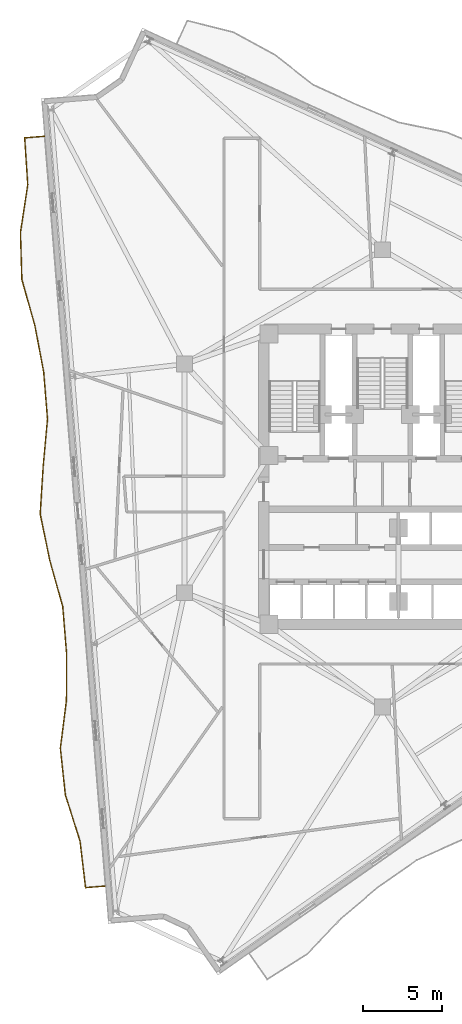
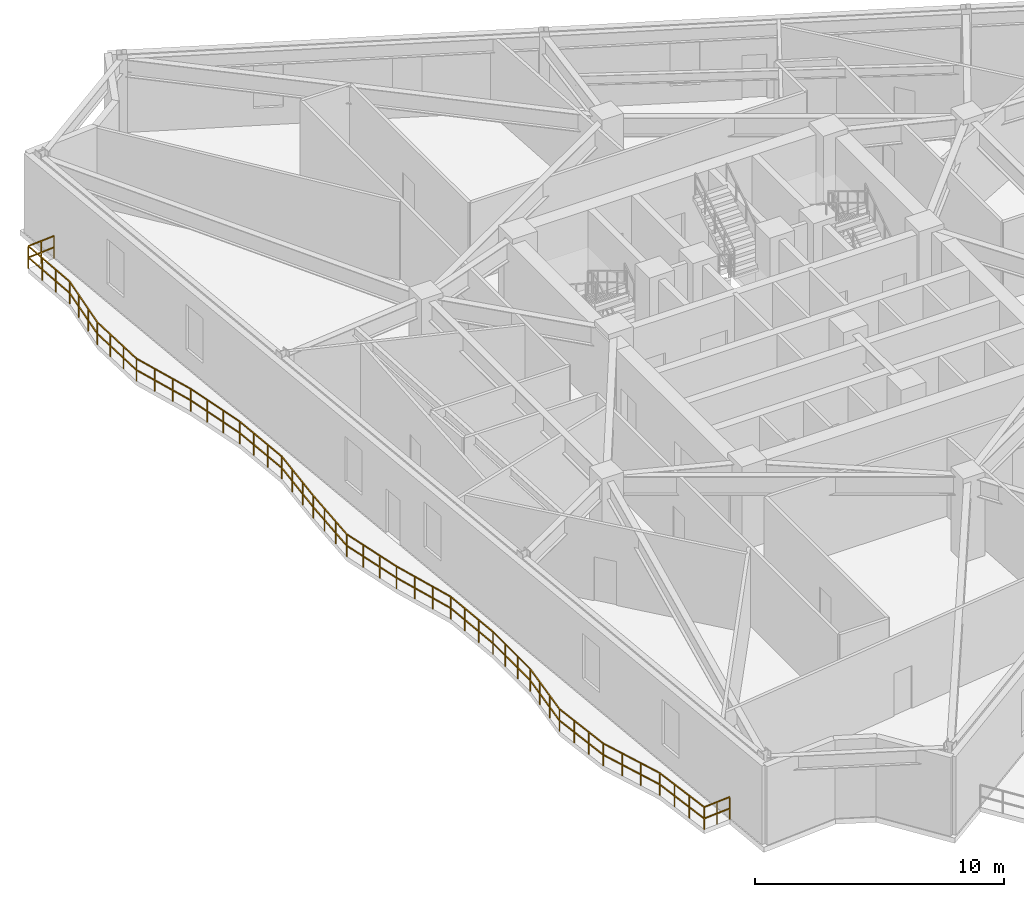
# One storey, part 9 of 12: 1 railing.
"""IFC4 building model written with IfcOpenShell, lengths in metres."""

from ifc_helpers import new_model, si_unit, direction, frame, origin, origin_2d, place, context, subcontext, project, spatial, rectangle, extrude, material, type_object, element, save


model = new_model("IFC4")

# Units and contexts
model_context = context("Model", 3, precision=1e-05, world=origin(), true_north=direction((0.0, 1.0)))
body_context = subcontext(model_context, "Body", "Model", "MODEL_VIEW")
ifc_project = project(units=[si_unit("LENGTHUNIT", "METRE"), si_unit("AREAUNIT", "SQUARE_METRE"), si_unit("VOLUMEUNIT", "CUBIC_METRE"), si_unit("PLANEANGLEUNIT", "RADIAN"), si_unit("MASSUNIT", "GRAM", prefix="KILO")], contexts=[model_context])

# Site, building, storey
site_placement = place(None, origin())
site = spatial("IfcSite", under=ifc_project, at=site_placement, CompositionType="ELEMENT")
building_placement = place(site_placement, origin())
building = spatial("IfcBuilding", under=site, at=building_placement, Name="Apsidion Concourse Tower", CompositionType="ELEMENT")
storey_placement = place(building_placement, frame((0.0, 0.0, 198.300048828125)))
storey = spatial("IfcBuildingStorey", under=building, at=storey_placement, Name="L46", CompositionType="ELEMENT", Elevation=198.300048828125)

# Railing
ifc_material = material(Name="Brushed stainless steel 316", Category="steel")
railing_type = type_object("IfcRailingType", Name="RL-BAL-1120", PredefinedType="BALUSTRADE", material=ifc_material)
railing_placement = place(storey_placement, frame((-17.59326171875, -25.86328125, 0.0)))
element("IfcRailing", 1, at=railing_placement, inside=storey, type_object=railing_type, Name="L46 Face 1 Rippling Balcony Balustrade", PredefinedType="BALUSTRADE", context=body_context, shape_type="SweptSolid", body=[
    extrude(rectangle(XDim=0.048095703125, YDim=0.048095703125, at=origin_2d()), frame((0.0, 0.0, 1.09619140625), z_axis=(-0.996725219945, -0.08086306899, 0.0), x_axis=(0.08086306899, -0.996725219945, 0.0)), (0.0, 0.0, 1.0), 1.25),
    extrude(rectangle(XDim=0.048095703125, YDim=0.048095703125, at=origin_2d()), frame((0.0, 0.0, 0.5361328125), z_axis=(-0.996725219945, -0.08086306899, 0.0), x_axis=(0.08086306899, -0.996725219945, 0.0)), (0.0, 0.0, 1.0), 1.25),
    extrude(rectangle(XDim=0.048095703125, YDim=0.048095703125, at=origin_2d()), frame((-1.245849609375, -0.10107421875, 1.09619140625), z_axis=(-0.118506652774, 0.99295325834, 0.0), x_axis=(-0.99295325834, -0.118506652774, 0.0)), (0.0, 0.0, 1.0), 2.985107421875),
    extrude(rectangle(XDim=0.048095703125, YDim=0.048095703125, at=origin_2d()), frame((-1.245849609375, -0.10107421875, 0.5361328125), z_axis=(-0.118506652774, 0.99295325834, 0.0), x_axis=(-0.99295325834, -0.118506652774, 0.0)), (0.0, 0.0, 1.0), 2.985107421875),
    extrude(rectangle(XDim=0.048095703125, YDim=0.048095703125, at=origin_2d()), frame((-1.599609375, 2.863037109375, 1.09619140625), z_axis=(-0.302821776627, 0.953047203238, 0.0), x_axis=(-0.953047203238, -0.302821776627, 0.0)), (0.0, 0.0, 1.0), 3.061279296875),
    extrude(rectangle(XDim=0.048095703125, YDim=0.048095703125, at=origin_2d()), frame((-1.599609375, 2.863037109375, 0.5361328125), z_axis=(-0.302821776627, 0.953047203238, 0.0), x_axis=(-0.953047203238, -0.302821776627, 0.0)), (0.0, 0.0, 1.0), 3.061279296875),
    extrude(rectangle(XDim=0.048095703125, YDim=0.048095703125, at=origin_2d()), frame((-2.526611328125, 5.780517578125, 1.09619140625), z_axis=(-0.106362677658, 0.994327401212, 0.0), x_axis=(-0.994327401212, -0.106362677658, 0.0)), (0.0, 0.0, 1.0), 2.98388671875),
    extrude(rectangle(XDim=0.048095703125, YDim=0.048095703125, at=origin_2d()), frame((-2.526611328125, 5.780517578125, 0.5361328125), z_axis=(-0.106362677658, 0.994327401212, 0.0), x_axis=(-0.994327401212, -0.106362677658, 0.0)), (0.0, 0.0, 1.0), 2.98388671875),
    extrude(rectangle(XDim=0.048095703125, YDim=0.048095703125, at=origin_2d()), frame((-2.843994140625, 8.74755859375, 1.09619140625), z_axis=(0.126380378382, 0.991981854653, 0.0), x_axis=(-0.991981854653, 0.126380378382, 0.0)), (0.0, 0.0, 1.0), 3.04833984375),
    extrude(rectangle(XDim=0.048095703125, YDim=0.048095703125, at=origin_2d()), frame((-2.843994140625, 8.74755859375, 0.5361328125), z_axis=(0.126380378382, 0.991981854653, 0.0), x_axis=(-0.991981854653, 0.126380378382, 0.0)), (0.0, 0.0, 1.0), 3.04833984375),
    extrude(rectangle(XDim=0.048095703125, YDim=0.048095703125, at=origin_2d()), frame((-2.458740234375, 11.771484375, 1.09619140625), z_axis=(0.001957422235, 0.999998084247, 0.0), x_axis=(-0.999998084247, 0.001957422235, 0.0)), (0.0, 0.0, 1.0), 2.993408203125),
    extrude(rectangle(XDim=0.048095703125, YDim=0.048095703125, at=origin_2d()), frame((-2.458740234375, 11.771484375, 0.5361328125), z_axis=(0.001957422235, 0.999998084247, 0.0), x_axis=(-0.999998084247, 0.001957422235, 0.0)), (0.0, 0.0, 1.0), 2.993408203125),
    extrude(rectangle(XDim=0.048095703125, YDim=0.048095703125, at=origin_2d()), frame((-2.452880859375, 14.764892578125, 1.09619140625), z_axis=(-0.080945526608, 0.996718526828, 0.0), x_axis=(-0.996718526828, -0.080945526608, 0.0)), (0.0, 0.0, 1.0), 2.98291015625),
    extrude(rectangle(XDim=0.048095703125, YDim=0.048095703125, at=origin_2d()), frame((-2.452880859375, 14.764892578125, 0.5361328125), z_axis=(-0.080945526608, 0.996718526828, 0.0), x_axis=(-0.996718526828, -0.080945526608, 0.0)), (0.0, 0.0, 1.0), 2.98291015625),
    extrude(rectangle(XDim=0.048095703125, YDim=0.048095703125, at=origin_2d()), frame((-2.6943359375, 17.738037109375, 1.09619140625), z_axis=(-0.27105955005, 0.962562579954, 0.0), x_axis=(-0.962562579954, -0.27105955005, 0.0)), (0.0, 0.0, 1.0), 3.039794921875),
    extrude(rectangle(XDim=0.048095703125, YDim=0.048095703125, at=origin_2d()), frame((-2.6943359375, 17.738037109375, 0.5361328125), z_axis=(-0.27105955005, 0.962562579954, 0.0), x_axis=(-0.962562579954, -0.27105955005, 0.0)), (0.0, 0.0, 1.0), 3.039794921875),
    extrude(rectangle(XDim=0.048095703125, YDim=0.048095703125, at=origin_2d()), frame((-3.518310546875, 20.6640625, 1.09619140625), z_axis=(-0.201237992089, 0.979542378124, 0.0), x_axis=(-0.979542378124, -0.201237992089, 0.0)), (0.0, 0.0, 1.0), 3.005126953125),
    extrude(rectangle(XDim=0.048095703125, YDim=0.048095703125, at=origin_2d()), frame((-3.518310546875, 20.6640625, 0.5361328125), z_axis=(-0.201237992089, 0.979542378124, 0.0), x_axis=(-0.979542378124, -0.201237992089, 0.0)), (0.0, 0.0, 1.0), 3.005126953125),
    extrude(rectangle(XDim=0.048095703125, YDim=0.048095703125, at=origin_2d()), frame((-4.123046875, 23.607666015625, 1.09619140625), z_axis=(0.061651976901, 0.998097707514, 0.0), x_axis=(-0.998097707514, 0.061651976901, 0.0)), (0.0, 0.0, 1.0), 3.013427734375),
    extrude(rectangle(XDim=0.048095703125, YDim=0.048095703125, at=origin_2d()), frame((-4.123046875, 23.607666015625, 0.5361328125), z_axis=(0.061651976901, 0.998097707514, 0.0), x_axis=(-0.998097707514, 0.061651976901, 0.0)), (0.0, 0.0, 1.0), 3.013427734375),
    extrude(rectangle(XDim=0.048095703125, YDim=0.048095703125, at=origin_2d()), frame((-3.937255859375, 26.615478515625, 1.09619140625), z_axis=(0.091589765377, 0.995796824095, 0.0), x_axis=(-0.995796824095, 0.091589765377, 0.0)), (0.0, 0.0, 1.0), 3.028076171875),
    extrude(rectangle(XDim=0.048095703125, YDim=0.048095703125, at=origin_2d()), frame((-3.937255859375, 26.615478515625, 0.5361328125), z_axis=(0.091589765377, 0.995796824095, 0.0), x_axis=(-0.995796824095, 0.091589765377, 0.0)), (0.0, 0.0, 1.0), 3.028076171875),
    extrude(rectangle(XDim=0.048095703125, YDim=0.048095703125, at=origin_2d()), frame((-3.659912109375, 29.630859375, 1.09619140625), z_axis=(-0.080945526608, 0.996718526828, 0.0), x_axis=(-0.996718526828, -0.080945526608, 0.0)), (0.0, 0.0, 1.0), 2.98291015625),
    extrude(rectangle(XDim=0.048095703125, YDim=0.048095703125, at=origin_2d()), frame((-3.659912109375, 29.630859375, 0.5361328125), z_axis=(-0.080945526608, 0.996718526828, 0.0), x_axis=(-0.996718526828, -0.080945526608, 0.0)), (0.0, 0.0, 1.0), 2.98291015625),
    extrude(rectangle(XDim=0.048095703125, YDim=0.048095703125, at=origin_2d()), frame((-3.9013671875, 32.60400390625, 1.09619140625), z_axis=(-0.185963869196, 0.982556583283, 0.0), x_axis=(-0.982556583283, -0.185963869196, 0.0)), (0.0, 0.0, 1.0), 2.999755859375),
    extrude(rectangle(XDim=0.048095703125, YDim=0.048095703125, at=origin_2d()), frame((-3.9013671875, 32.60400390625, 0.5361328125), z_axis=(-0.185963869196, 0.982556583283, 0.0), x_axis=(-0.982556583283, -0.185963869196, 0.0)), (0.0, 0.0, 1.0), 2.999755859375),
    extrude(rectangle(XDim=0.048095703125, YDim=0.048095703125, at=origin_2d()), frame((-4.459228515625, 35.551513671875, 1.09619140625), z_axis=(-0.272121879607, 0.962262792921, 0.0), x_axis=(-0.962262792921, -0.272121879607, 0.0)), (0.0, 0.0, 1.0), 3.04052734375),
    extrude(rectangle(XDim=0.048095703125, YDim=0.048095703125, at=origin_2d()), frame((-4.459228515625, 35.551513671875, 0.5361328125), z_axis=(-0.272121879607, 0.962262792921, 0.0), x_axis=(-0.962262792921, -0.272121879607, 0.0)), (0.0, 0.0, 1.0), 3.04052734375),
    extrude(rectangle(XDim=0.048095703125, YDim=0.048095703125, at=origin_2d()), frame((-5.28662109375, 38.477294921875, 1.09619140625), z_axis=(-0.030081245024, 0.999547456951, 0.0), x_axis=(-0.999547456951, -0.030081245024, 0.0)), (0.0, 0.0, 1.0), 2.98681640625),
    extrude(rectangle(XDim=0.048095703125, YDim=0.048095703125, at=origin_2d()), frame((-5.28662109375, 38.477294921875, 0.5361328125), z_axis=(-0.030081245024, 0.999547456951, 0.0), x_axis=(-0.999547456951, -0.030081245024, 0.0)), (0.0, 0.0, 1.0), 2.98681640625),
    extrude(rectangle(XDim=0.048095703125, YDim=0.048095703125, at=origin_2d()), frame((-5.37646484375, 41.462646484375, 1.09619140625), z_axis=(0.150836243997, 0.988558762794, 0.0), x_axis=(-0.988558762794, 0.150836243997, 0.0)), (0.0, 0.0, 1.0), 3.065673828125),
    extrude(rectangle(XDim=0.048095703125, YDim=0.048095703125, at=origin_2d()), frame((-5.37646484375, 41.462646484375, 0.5361328125), z_axis=(0.150836243997, 0.988558762794, 0.0), x_axis=(-0.988558762794, 0.150836243997, 0.0)), (0.0, 0.0, 1.0), 3.065673828125),
    extrude(rectangle(XDim=0.048095703125, YDim=0.048095703125, at=origin_2d()), frame((-4.9140625, 44.4931640625, 1.09619140625), z_axis=(-0.065144686278, 0.997875828873, 0.0), x_axis=(-0.997875828873, -0.065144686278, 0.0)), (0.0, 0.0, 1.0), 2.983154296875),
    extrude(rectangle(XDim=0.048095703125, YDim=0.048095703125, at=origin_2d()), frame((-4.9140625, 44.4931640625, 0.5361328125), z_axis=(-0.065144686278, 0.997875828873, 0.0), x_axis=(-0.997875828873, -0.065144686278, 0.0)), (0.0, 0.0, 1.0), 2.983154296875),
    extrude(rectangle(XDim=0.048095703125, YDim=0.048095703125, at=origin_2d()), frame((-5.1083984375, 47.469970703125, 1.09619140625), z_axis=(0.996709458739, 0.081057108637, 0.0), x_axis=(-0.081057108637, 0.996709458739, 0.0)), (0.0, 0.0, 1.0), 1.25),
    extrude(rectangle(XDim=0.048095703125, YDim=0.048095703125, at=origin_2d()), frame((-5.1083984375, 47.469970703125, 0.5361328125), z_axis=(0.996709458739, 0.081057108637, 0.0), x_axis=(-0.081057108637, 0.996709458739, 0.0)), (0.0, 0.0, 1.0), 1.25),
    extrude(rectangle(XDim=0.0419921875, YDim=0.0419921875, at=origin_2d()), origin(), (0.0, 0.0, 1.0), 1.072021484375),
    extrude(rectangle(XDim=0.0419921875, YDim=0.0419921875, at=origin_2d()), frame((-0.623046875, -0.050537109375, 0.0)), (0.0, 0.0, 1.0), 1.072021484375),
    extrude(rectangle(XDim=0.0419921875, YDim=0.0419921875, at=origin_2d()), frame((-1.245849609375, -0.10107421875, 0.0)), (0.0, 0.0, 1.0), 1.072021484375),
    extrude(rectangle(XDim=0.0419921875, YDim=0.0419921875, at=origin_2d()), frame((-1.36376953125, 0.886962890625, 0.0)), (0.0, 0.0, 1.0), 1.072021484375),
    extrude(rectangle(XDim=0.0419921875, YDim=0.0419921875, at=origin_2d()), frame((-1.481689453125, 1.875, 0.0)), (0.0, 0.0, 1.0), 1.072021484375),
    extrude(rectangle(XDim=0.0419921875, YDim=0.0419921875, at=origin_2d()), frame((-1.599609375, 2.863037109375, 0.0)), (0.0, 0.0, 1.0), 1.072021484375),
    extrude(rectangle(XDim=0.0419921875, YDim=0.0419921875, at=origin_2d()), frame((-1.90869140625, 3.83544921875, 0.0)), (0.0, 0.0, 1.0), 1.072021484375),
    extrude(rectangle(XDim=0.0419921875, YDim=0.0419921875, at=origin_2d()), frame((-2.217529296875, 4.80810546875, 0.0)), (0.0, 0.0, 1.0), 1.072021484375),
    extrude(rectangle(XDim=0.0419921875, YDim=0.0419921875, at=origin_2d()), frame((-2.526611328125, 5.780517578125, 0.0)), (0.0, 0.0, 1.0), 1.072021484375),
    extrude(rectangle(XDim=0.0419921875, YDim=0.0419921875, at=origin_2d()), frame((-2.63232421875, 6.76953125, 0.0)), (0.0, 0.0, 1.0), 1.072021484375),
    extrude(rectangle(XDim=0.0419921875, YDim=0.0419921875, at=origin_2d()), frame((-2.73828125, 7.758544921875, 0.0)), (0.0, 0.0, 1.0), 1.072021484375),
    extrude(rectangle(XDim=0.0419921875, YDim=0.0419921875, at=origin_2d()), frame((-2.843994140625, 8.74755859375, 0.0)), (0.0, 0.0, 1.0), 1.072021484375),
    extrude(rectangle(XDim=0.0419921875, YDim=0.0419921875, at=origin_2d()), frame((-2.715576171875, 9.755615234375, 0.0)), (0.0, 0.0, 1.0), 1.072021484375),
    extrude(rectangle(XDim=0.0419921875, YDim=0.0419921875, at=origin_2d()), frame((-2.587158203125, 10.763427734375, 0.0)), (0.0, 0.0, 1.0), 1.072021484375),
    extrude(rectangle(XDim=0.0419921875, YDim=0.0419921875, at=origin_2d()), frame((-2.458740234375, 11.771484375, 0.0)), (0.0, 0.0, 1.0), 1.072021484375),
    extrude(rectangle(XDim=0.0419921875, YDim=0.0419921875, at=origin_2d()), frame((-2.456787109375, 12.769287109375, 0.0)), (0.0, 0.0, 1.0), 1.072021484375),
    extrude(rectangle(XDim=0.0419921875, YDim=0.0419921875, at=origin_2d()), frame((-2.454833984375, 13.76708984375, 0.0)), (0.0, 0.0, 1.0), 1.072021484375),
    extrude(rectangle(XDim=0.0419921875, YDim=0.0419921875, at=origin_2d()), frame((-2.452880859375, 14.764892578125, 0.0)), (0.0, 0.0, 1.0), 1.072021484375),
    extrude(rectangle(XDim=0.0419921875, YDim=0.0419921875, at=origin_2d()), frame((-2.533447265625, 15.755859375, 0.0)), (0.0, 0.0, 1.0), 1.072021484375),
    extrude(rectangle(XDim=0.0419921875, YDim=0.0419921875, at=origin_2d()), frame((-2.61376953125, 16.7470703125, 0.0)), (0.0, 0.0, 1.0), 1.072021484375),
    extrude(rectangle(XDim=0.0419921875, YDim=0.0419921875, at=origin_2d()), frame((-2.6943359375, 17.738037109375, 0.0)), (0.0, 0.0, 1.0), 1.072021484375),
    extrude(rectangle(XDim=0.0419921875, YDim=0.0419921875, at=origin_2d()), frame((-2.968994140625, 18.71337890625, 0.0)), (0.0, 0.0, 1.0), 1.072021484375),
    extrude(rectangle(XDim=0.0419921875, YDim=0.0419921875, at=origin_2d()), frame((-3.24365234375, 19.688720703125, 0.0)), (0.0, 0.0, 1.0), 1.072021484375),
    extrude(rectangle(XDim=0.0419921875, YDim=0.0419921875, at=origin_2d()), frame((-3.518310546875, 20.6640625, 0.0)), (0.0, 0.0, 1.0), 1.072021484375),
    extrude(rectangle(XDim=0.0419921875, YDim=0.0419921875, at=origin_2d()), frame((-3.719970703125, 21.645263671875, 0.0)), (0.0, 0.0, 1.0), 1.072021484375),
    extrude(rectangle(XDim=0.0419921875, YDim=0.0419921875, at=origin_2d()), frame((-3.92138671875, 22.62646484375, 0.0)), (0.0, 0.0, 1.0), 1.072021484375),
    extrude(rectangle(XDim=0.0419921875, YDim=0.0419921875, at=origin_2d()), frame((-4.123046875, 23.607666015625, 0.0)), (0.0, 0.0, 1.0), 1.072021484375),
    extrude(rectangle(XDim=0.0419921875, YDim=0.0419921875, at=origin_2d()), frame((-4.06103515625, 24.6103515625, 0.0)), (0.0, 0.0, 1.0), 1.072021484375),
    extrude(rectangle(XDim=0.0419921875, YDim=0.0419921875, at=origin_2d()), frame((-3.999267578125, 25.61279296875, 0.0)), (0.0, 0.0, 1.0), 1.072021484375),
    extrude(rectangle(XDim=0.0419921875, YDim=0.0419921875, at=origin_2d()), frame((-3.937255859375, 26.615478515625, 0.0)), (0.0, 0.0, 1.0), 1.072021484375),
    extrude(rectangle(XDim=0.0419921875, YDim=0.0419921875, at=origin_2d()), frame((-3.8447265625, 27.62060546875, 0.0)), (0.0, 0.0, 1.0), 1.072021484375),
    extrude(rectangle(XDim=0.0419921875, YDim=0.0419921875, at=origin_2d()), frame((-3.75244140625, 28.625732421875, 0.0)), (0.0, 0.0, 1.0), 1.072021484375),
    extrude(rectangle(XDim=0.0419921875, YDim=0.0419921875, at=origin_2d()), frame((-3.659912109375, 29.630859375, 0.0)), (0.0, 0.0, 1.0), 1.072021484375),
    extrude(rectangle(XDim=0.0419921875, YDim=0.0419921875, at=origin_2d()), frame((-3.740478515625, 30.621826171875, 0.0)), (0.0, 0.0, 1.0), 1.072021484375),
    extrude(rectangle(XDim=0.0419921875, YDim=0.0419921875, at=origin_2d()), frame((-3.82080078125, 31.613037109375, 0.0)), (0.0, 0.0, 1.0), 1.072021484375),
    extrude(rectangle(XDim=0.0419921875, YDim=0.0419921875, at=origin_2d()), frame((-3.9013671875, 32.60400390625, 0.0)), (0.0, 0.0, 1.0), 1.072021484375),
    extrude(rectangle(XDim=0.0419921875, YDim=0.0419921875, at=origin_2d()), frame((-4.08740234375, 33.58642578125, 0.0)), (0.0, 0.0, 1.0), 1.072021484375),
    extrude(rectangle(XDim=0.0419921875, YDim=0.0419921875, at=origin_2d()), frame((-4.273193359375, 34.569091796875, 0.0)), (0.0, 0.0, 1.0), 1.072021484375),
    extrude(rectangle(XDim=0.0419921875, YDim=0.0419921875, at=origin_2d()), frame((-4.459228515625, 35.551513671875, 0.0)), (0.0, 0.0, 1.0), 1.072021484375),
    extrude(rectangle(XDim=0.0419921875, YDim=0.0419921875, at=origin_2d()), frame((-4.735107421875, 36.52685546875, 0.0)), (0.0, 0.0, 1.0), 1.072021484375),
    extrude(rectangle(XDim=0.0419921875, YDim=0.0419921875, at=origin_2d()), frame((-5.0107421875, 37.501953125, 0.0)), (0.0, 0.0, 1.0), 1.072021484375),
    extrude(rectangle(XDim=0.0419921875, YDim=0.0419921875, at=origin_2d()), frame((-5.28662109375, 38.477294921875, 0.0)), (0.0, 0.0, 1.0), 1.072021484375),
    extrude(rectangle(XDim=0.0419921875, YDim=0.0419921875, at=origin_2d()), frame((-5.316650390625, 39.472412109375, 0.0)), (0.0, 0.0, 1.0), 1.072021484375),
    extrude(rectangle(XDim=0.0419921875, YDim=0.0419921875, at=origin_2d()), frame((-5.346435546875, 40.467529296875, 0.0)), (0.0, 0.0, 1.0), 1.072021484375),
    extrude(rectangle(XDim=0.0419921875, YDim=0.0419921875, at=origin_2d()), frame((-5.37646484375, 41.462646484375, 0.0)), (0.0, 0.0, 1.0), 1.072021484375),
    extrude(rectangle(XDim=0.0419921875, YDim=0.0419921875, at=origin_2d()), frame((-5.222412109375, 42.472900390625, 0.0)), (0.0, 0.0, 1.0), 1.072021484375),
    extrude(rectangle(XDim=0.0419921875, YDim=0.0419921875, at=origin_2d()), frame((-5.068115234375, 43.48291015625, 0.0)), (0.0, 0.0, 1.0), 1.072021484375),
    extrude(rectangle(XDim=0.0419921875, YDim=0.0419921875, at=origin_2d()), frame((-4.9140625, 44.4931640625, 0.0)), (0.0, 0.0, 1.0), 1.072021484375),
    extrude(rectangle(XDim=0.0419921875, YDim=0.0419921875, at=origin_2d()), frame((-4.978759765625, 45.4853515625, 0.0)), (0.0, 0.0, 1.0), 1.072021484375),
    extrude(rectangle(XDim=0.0419921875, YDim=0.0419921875, at=origin_2d()), frame((-5.043701171875, 46.477783203125, 0.0)), (0.0, 0.0, 1.0), 1.072021484375),
    extrude(rectangle(XDim=0.0419921875, YDim=0.0419921875, at=origin_2d()), frame((-5.1083984375, 47.469970703125, 0.0)), (0.0, 0.0, 1.0), 1.072021484375),
    extrude(rectangle(XDim=0.0419921875, YDim=0.0419921875, at=origin_2d()), frame((-4.4853515625, 47.5205078125, 0.0)), (0.0, 0.0, 1.0), 1.072021484375),
    extrude(rectangle(XDim=0.0419921875, YDim=0.0419921875, at=origin_2d()), frame((-3.862548828125, 47.5712890625, 0.0)), (0.0, 0.0, 1.0), 1.072021484375),
])

save(model, "model.ifc")
